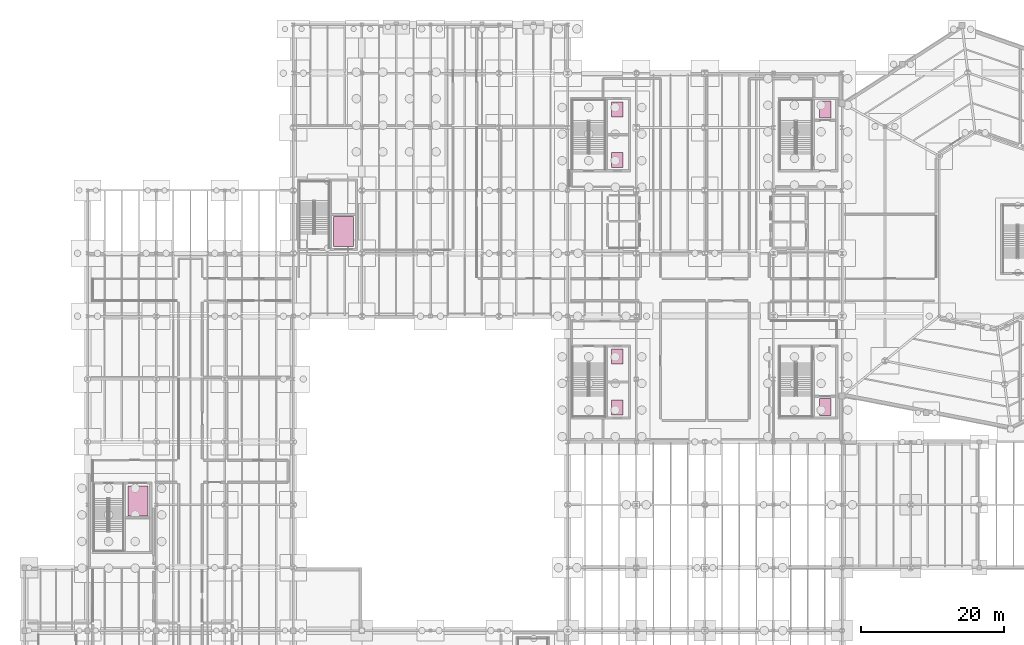
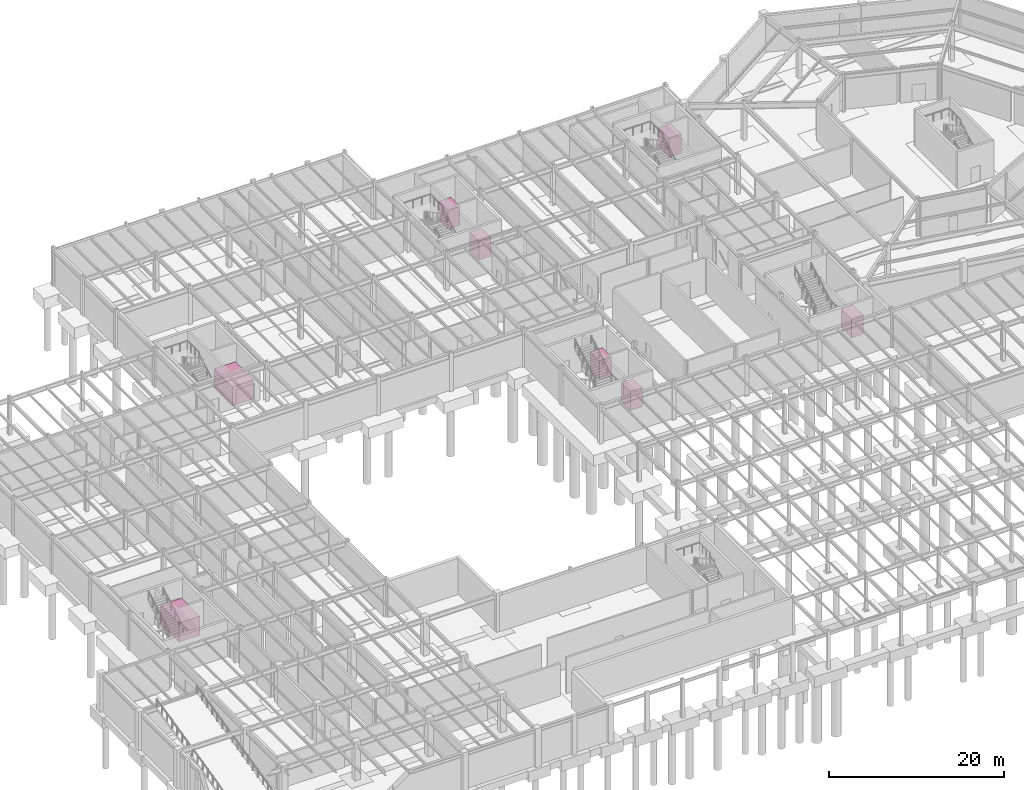
# One storey, part 48 of 48: 8 transport elements.
"""IFC4 building model written with IfcOpenShell, lengths in metres."""

from ifc_helpers import new_model, si_unit, direction, frame, origin, origin_2d, place, context, subcontext, project, spatial, rectangle, extrude, material, type_object, element, save


model = new_model("IFC4")

# Units and contexts
model_context = context("Model", 3, precision=1e-05, world=origin(), true_north=direction((0.0, 1.0)))
body_context = subcontext(model_context, "Body", "Model", "MODEL_VIEW")
ifc_project = project(units=[si_unit("LENGTHUNIT", "METRE"), si_unit("AREAUNIT", "SQUARE_METRE"), si_unit("VOLUMEUNIT", "CUBIC_METRE"), si_unit("PLANEANGLEUNIT", "RADIAN"), si_unit("MASSUNIT", "GRAM", prefix="KILO")], contexts=[model_context])

# Site, building, storey
site_placement = place(None, origin())
site = spatial("IfcSite", under=ifc_project, at=site_placement, CompositionType="ELEMENT")
building_placement = place(site_placement, origin())
building = spatial("IfcBuilding", under=site, at=building_placement, Name="Sarnbrook Museum", CompositionType="ELEMENT")
storey_placement = place(building_placement, frame((0.0, 0.0, -5.39990234375)))
storey = spatial("IfcBuildingStorey", under=building, at=storey_placement, Name="B1", CompositionType="ELEMENT", Elevation=-5.39990234375)

# Transport elements
ifc_material = material(Name="Brushed Stainless Steel Grade 316", Category="steel")
transport_element_type_1 = type_object("IfcTransportElementType", Name="Art-Goods-Lift-5000", PredefinedType="ELEVATOR", material=ifc_material)
transport_element_1_placement = place(storey_placement, frame((20.64990234375, 48.550048828125, 0.0), z_axis=(0.0, 0.0, 1.0), x_axis=(1.0, 0.0, 0.0)))
element("IfcTransportElement", 1, at=transport_element_1_placement, inside=storey, type_object=transport_element_type_1, Name="Art Goods Lift GL1", PredefinedType="ELEVATOR", context=body_context, shape_type="SweptSolid", body=[
    extrude(rectangle(XDim=2.800048828125, YDim=4.199951171875, at=origin_2d()), origin(), (0.0, 0.0, 1.0), 2.64990234375),
])
transport_element_type_2 = type_object("IfcTransportElementType", Name="Emergency-Lift-2000", PredefinedType="ELEVATOR", material=ifc_material)
for number, where, z_axis, x_axis, name in (
    (2, (116.81494140625, 61.699951171875, 0.0), (0.0, 0.0, 1.0), (1.0, 0.0, 0.0), "Emergency Lift EL1"),
    (3, (116.81494140625, 103.300048828125, 0.0), (0.0, 0.0, 1.0), (1.0, 0.0, 0.0), "Emergency Lift EL2"),
):
    element("IfcTransportElement", number, at=place(storey_placement, frame(where, z_axis=z_axis, x_axis=x_axis)), inside=storey, type_object=transport_element_type_2, Name=name, PredefinedType="ELEVATOR", context=body_context, shape_type="SweptSolid", body=[
        extrude(rectangle(XDim=1.60009765625, YDim=2.39990234375, at=origin_2d()), origin(), (0.0, 0.0, 1.0), 2.64990234375),
    ])
transport_element_type_3 = type_object("IfcTransportElementType", Name="Freight-Goods-Lift-5000", PredefinedType="ELEVATOR", material=ifc_material)
transport_element_2_placement = place(storey_placement, frame((49.449951171875, 86.25, 0.0), z_axis=(0.0, 0.0, 1.0), x_axis=(1.0, 0.0, 0.0)))
element("IfcTransportElement", 4, at=transport_element_2_placement, inside=storey, type_object=transport_element_type_3, Name="Freight Goods Lift GL2", PredefinedType="ELEVATOR", context=body_context, shape_type="SweptSolid", body=[
    extrude(rectangle(XDim=2.800048828125, YDim=4.199951171875, at=origin_2d()), origin(), (0.0, 0.0, 1.0), 2.64990234375),
])
transport_element_type_4 = type_object("IfcTransportElementType", Name="Passenger-Lift-1800", PredefinedType="ELEVATOR", material=ifc_material)
for number, where, z_axis, x_axis, name in (
    (5, (87.75, 61.64990234375, 0.0), (0.0, 0.0, 1.0), (1.0, 0.0, 0.0), "Passenger Lift PL1"),
    (6, (87.75, 68.75, 0.0), (0.0, 0.0, 1.0), (1.0, 0.0, 0.0), "Passenger Lift PL2"),
    (7, (87.75, 96.25, 0.0), (0.0, 0.0, 1.0), (1.0, 0.0, 0.0), "Passenger Lift PL3"),
    (8, (87.75, 103.35009765625, 0.0), (0.0, 0.0, 1.0), (1.0, 0.0, 0.0), "Passenger Lift PL4"),
):
    element("IfcTransportElement", number, at=place(storey_placement, frame(where, z_axis=z_axis, x_axis=x_axis)), inside=storey, type_object=transport_element_type_4, Name=name, PredefinedType="ELEVATOR", context=body_context, shape_type="SweptSolid", body=[
        extrude(rectangle(XDim=1.60009765625, YDim=2.10009765625, at=origin_2d()), origin(), (0.0, 0.0, 1.0), 2.64990234375),
    ])

save(model, "model.ifc")
